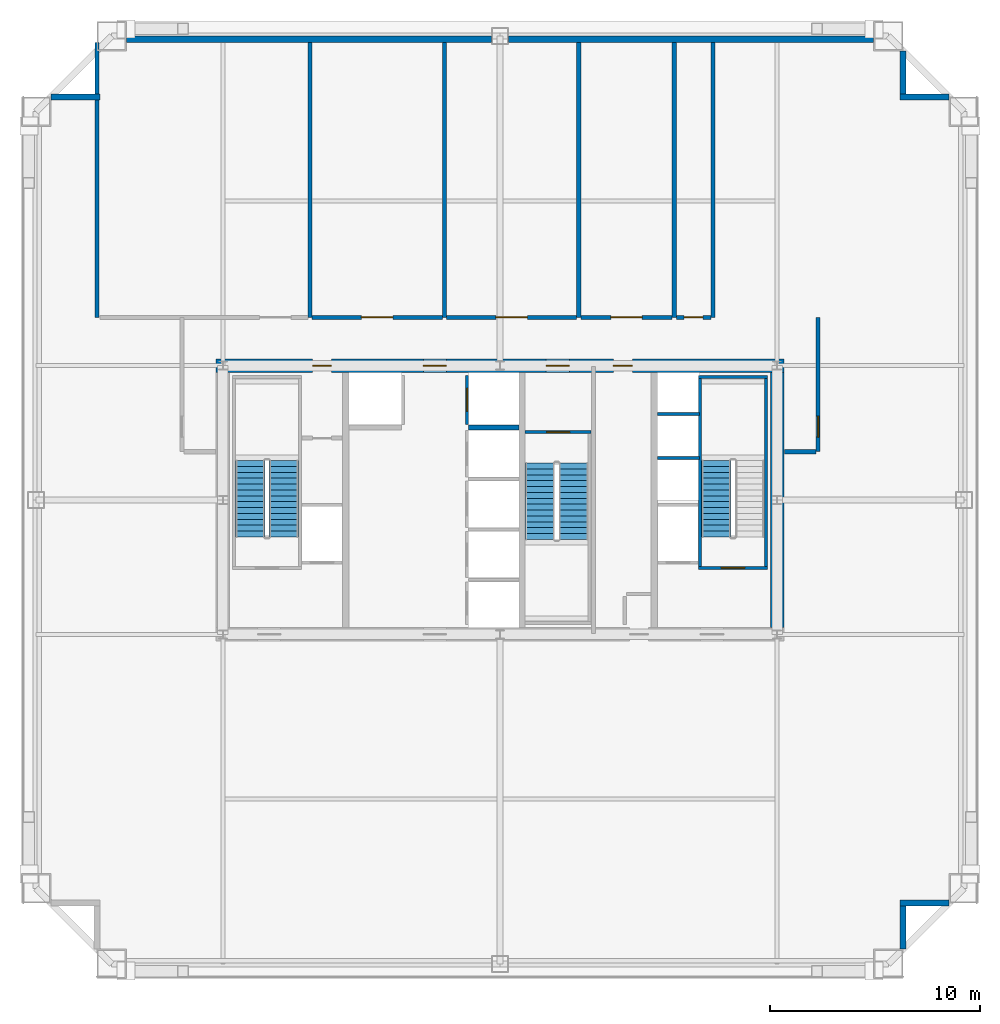
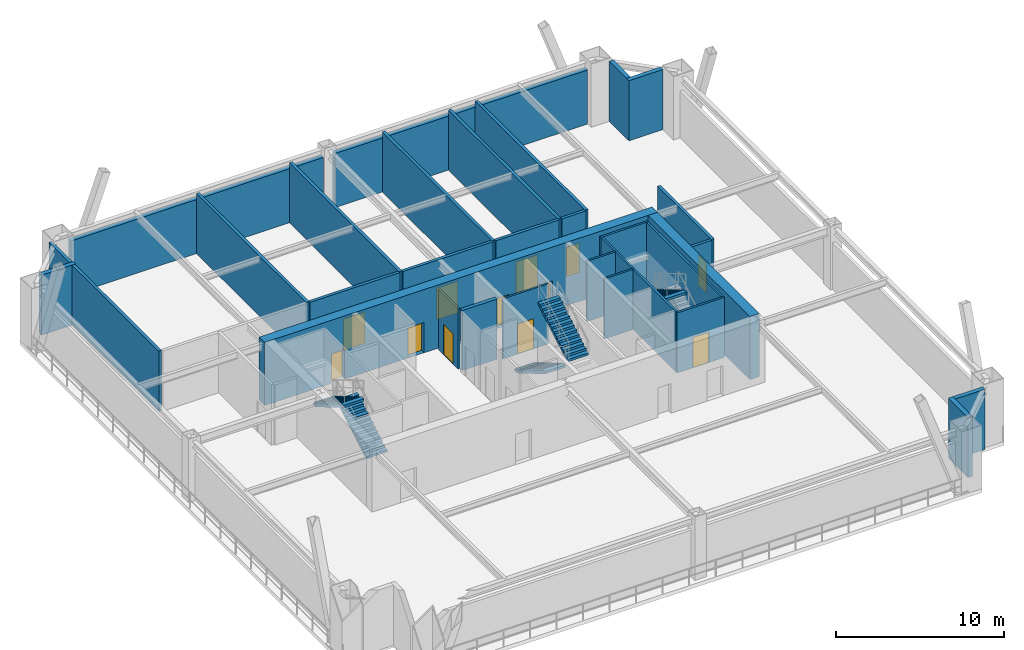
# One storey, part 5 of 9: 30 walls, 12 doors, 5 stair flights, 12 openings, 3 elements without a shape of their own.
"""IFC4 building model written with IfcOpenShell, lengths in metres."""

from ifc_helpers import new_model, si_unit, direction, frame, frame_2d, origin, place, context, subcontext, project, spatial, polyline, rectangle, outline, extrude, source, transform, mapped, material, layer, layer_set, type_object, element, fill, aggregate, save


model = new_model("IFC4")

# Units and contexts
model_context = context("Model", 3, precision=1e-05, world=origin(), true_north=direction((0.0, 1.0)))
body_context = subcontext(model_context, "Body", "Model", "MODEL_VIEW")
ifc_project = project(units=[si_unit("LENGTHUNIT", "METRE"), si_unit("AREAUNIT", "SQUARE_METRE"), si_unit("VOLUMEUNIT", "CUBIC_METRE"), si_unit("PLANEANGLEUNIT", "RADIAN"), si_unit("MASSUNIT", "GRAM", prefix="KILO"), si_unit("THERMODYNAMICTEMPERATUREUNIT", "KELVIN"), si_unit("POWERUNIT", "WATT")], contexts=[model_context])

# Site, building, storey
site_placement = place(None, origin())
site = spatial("IfcSite", under=ifc_project, at=site_placement, CompositionType="ELEMENT")
building_placement = place(site_placement, origin())
building = spatial("IfcBuilding", under=site, at=building_placement, Name="Yuzanri Waterfront Tower", CompositionType="ELEMENT")
storey_placement = place(building_placement, frame((0.0, 0.0, 176.39990234375)))
storey = spatial("IfcBuildingStorey", under=building, at=storey_placement, Name="L46", CompositionType="ELEMENT", Elevation=176.39990234375)

# Wall, openings, doors
ifc_material_1 = material(Name="Concrete C50", Category="concrete")
ifc_layer_1 = layer(ifc_material_1, 0.64990234375)
ifc_layer_set_1 = layer_set([ifc_layer_1], Name="Concrete C50")
wall_type_1 = type_object("IfcWallType", Name="Concrete C50 Mid Zone Core Shear Wall 650", PredefinedType="SHEAR", material=ifc_layer_set_1)
wall_1_placement = place(storey_placement, frame((23.47509765625, 32.199951171875, 0.0), z_axis=(0.0, 0.0, 1.0), x_axis=(1.0, 0.0, 0.0)))
wall_1 = element("IfcWall", 1, at=wall_1_placement, inside=storey, type_object=wall_type_1, Name="L46 Core North Shear Wall", PredefinedType="SHEAR", context=body_context, shape_type="SweptSolid", body=[
    extrude(rectangle(XDim=27.0498046875, YDim=0.64990234375, at=frame_2d((13.52490234375, 0.0))), origin(), (0.0, 0.0, 1.0), 4.60009765625),
])
opening_1_placement = place(wall_1_placement, frame((4.594970703125, 0.0, 0.0)))
opening_1 = element("IfcOpeningElement", 2, at=opening_1_placement, cuts=wall_1, Name="Opening FD-0900", PredefinedType="OPENING", context=body_context, shape_type="SweptSolid", body=[
    extrude(rectangle(XDim=0.89990234375, YDim=2.14990234375, at=frame_2d((0.449951171875, 1.074951171875))), frame((0.0, 0.33984375, 0.0), z_axis=(0.0, -1.0, 0.0), x_axis=(1.0, 0.0, 0.0)), (0.0, 0.0, 1.0), 0.6796875),
])
opening_2_placement = place(wall_1_placement, frame((9.875, 0.0, 0.0)))
opening_2 = element("IfcOpeningElement", 3, at=opening_2_placement, cuts=wall_1, Name="Opening FD-1100", PredefinedType="OPENING", context=body_context, shape_type="SweptSolid", body=[
    extrude(rectangle(XDim=1.10009765625, YDim=2.199951171875, at=frame_2d((0.550048828125, 1.10009765625))), frame((0.0, 0.33984375, 0.0), z_axis=(0.0, -1.0, 0.0), x_axis=(1.0, 0.0, 0.0)), (0.0, 0.0, 1.0), 0.6796875),
])
opening_3_placement = place(wall_1_placement, frame((15.72509765625, 0.0, 0.0)))
opening_3 = element("IfcOpeningElement", 4, at=opening_3_placement, cuts=wall_1, Name="Opening FD-1100", PredefinedType="OPENING", context=body_context, shape_type="SweptSolid", body=[
    extrude(rectangle(XDim=1.10009765625, YDim=2.199951171875, at=frame_2d((0.550048828125, 1.10009765625))), frame((0.0, 0.33984375, 0.0), z_axis=(0.0, -1.0, 0.0), x_axis=(1.0, 0.0, 0.0)), (0.0, 0.0, 1.0), 0.6796875),
])
opening_4_placement = place(wall_1_placement, frame((18.925048828125, 0.0, 0.0)))
opening_4 = element("IfcOpeningElement", 5, at=opening_4_placement, cuts=wall_1, Name="Opening FD-0900", PredefinedType="OPENING", context=body_context, shape_type="SweptSolid", body=[
    extrude(rectangle(XDim=0.89990234375, YDim=2.14990234375, at=frame_2d((0.449951171875, 1.074951171875))), frame((0.0, 0.33984375, 0.0), z_axis=(0.0, -1.0, 0.0), x_axis=(1.0, 0.0, 0.0)), (0.0, 0.0, 1.0), 0.6796875),
])
ifc_material_2 = material(Name="Painted Galvanized Fire Steel", Category="steel")
door_type_1 = type_object("IfcDoorType", Name="Smoke-Proof Stair and Lobby Fire Door 1100x2200", OperationType="NOTDEFINED", PredefinedType="DOOR", material=ifc_material_2)
shared_shape_1 = source(origin(), body_context, "Body", "SweptSolid", [
    extrude(rectangle(XDim=1.10009765625, YDim=2.199951171875, at=frame_2d((0.550048828125, 1.10009765625))), frame((0.0, 0.02490234375, 0.0), z_axis=(0.0, -1.0, 0.0), x_axis=(1.0, 0.0, 0.0)), (0.0, 0.0, 1.0), 0.050048828125),
])
door_1_placement = place(opening_2_placement, origin())
door_1 = element("IfcDoor", 6, at=door_1_placement, inside=storey, type_object=door_type_1, Name="L46 Central Lift Lobby North Door", OperationType="SINGLE_SWING_LEFT", OverallHeight=2.199951171875, OverallWidth=1.10009765625, PredefinedType="DOOR", context=body_context, shape_type="MappedRepresentation", body=[
    mapped(shared_shape_1, transform((0.0, 0.0, 0.0), scale=1.0)),
])
fill(opening_2, door_1)
door_2_placement = place(opening_3_placement, origin())
door_2 = element("IfcDoor", 7, at=door_2_placement, inside=storey, type_object=door_type_1, Name="L46 North Stair Lobby Door", OperationType="SINGLE_SWING_RIGHT", OverallHeight=2.199951171875, OverallWidth=1.10009765625, PredefinedType="DOOR", context=body_context, shape_type="MappedRepresentation", body=[
    mapped(shared_shape_1, transform((0.0, 0.0, 0.0), scale=1.0)),
])
fill(opening_3, door_2)
ifc_material_3 = material(Name="Painted Galvanized Fire Steel", Category="steel")
door_type_2 = type_object("IfcDoorType", Name="Riser and Service Room Fire Door 900x2150", OperationType="NOTDEFINED", PredefinedType="DOOR", material=ifc_material_3)
shared_shape_2 = source(origin(), body_context, "Body", "SweptSolid", [
    extrude(rectangle(XDim=0.89990234375, YDim=2.14990234375, at=frame_2d((0.449951171875, 1.074951171875))), frame((0.0, 0.02490234375, 0.0), z_axis=(0.0, -1.0, 0.0), x_axis=(1.0, 0.0, 0.0)), (0.0, 0.0, 1.0), 0.050048828125),
])
door_3_placement = place(opening_1_placement, origin())
door_3 = element("IfcDoor", 8, at=door_3_placement, inside=storey, type_object=door_type_2, Name="L46 Telecom Riser Door", OperationType="SINGLE_SWING_RIGHT", OverallHeight=2.14990234375, OverallWidth=0.89990234375, PredefinedType="DOOR", context=body_context, shape_type="MappedRepresentation", body=[
    mapped(shared_shape_2, transform((0.0, 0.0, 0.0), scale=1.0)),
])
fill(opening_1, door_3)
door_4_placement = place(opening_4_placement, origin())
door_4 = element("IfcDoor", 9, at=door_4_placement, inside=storey, type_object=door_type_2, Name="L46 Refuge Mechanical Equipment Store Room", OperationType="SINGLE_SWING_LEFT", OverallHeight=2.14990234375, OverallWidth=0.89990234375, PredefinedType="DOOR", context=body_context, shape_type="MappedRepresentation", body=[
    mapped(shared_shape_2, transform((0.0, 0.0, 0.0), scale=1.0)),
])
fill(opening_4, door_4)

# Wall, opening, door
ifc_material_4 = material(Name="Concrete C40", Category="concrete")
ifc_layer_2 = layer(ifc_material_4, 0.139892578125)
ifc_layer_set_2 = layer_set([ifc_layer_2], Name="Concrete C40")
wall_type_2 = type_object("IfcWallType", Name="Core Stair Liner and Hoistway Shaft Wall 140", PredefinedType="SOLIDWALL", material=ifc_layer_set_2)
wall_2_placement = place(storey_placement, frame((35.429931640625, 29.39990234375, 0.0), z_axis=(0.0, 0.0, 1.0), x_axis=(0.0, 1.0, 0.0)))
wall_2 = element("IfcWall", 10, at=wall_2_placement, inside=storey, type_object=wall_type_2, Name="L46 Lift SL-02 Front Shaft Wall", PredefinedType="SOLIDWALL", context=body_context, shape_type="SweptSolid", body=[
    extrude(rectangle(XDim=2.340087890625, YDim=0.139892578125, at=frame_2d((1.169921875, 0.0))), origin(), (0.0, 0.0, 1.0), 4.380126953125),
])
opening_5_placement = place(wall_2_placement, frame((0.6201171875, 0.0, 0.0)))
opening_5 = element("IfcOpeningElement", 11, at=opening_5_placement, cuts=wall_2, Name="Opening LD-SL-02", PredefinedType="OPENING", context=body_context, shape_type="SweptSolid", body=[
    extrude(rectangle(XDim=1.10009765625, YDim=2.199951171875, at=frame_2d((0.550048828125, 1.10009765625))), frame((0.0, 0.0849609375, 0.0), z_axis=(0.0, -1.0, 0.0), x_axis=(1.0, 0.0, 0.0)), (0.0, 0.0, 1.0), 0.169677734375),
])
ifc_material_5 = material(Name="Brushed Bronze and Stainless Steel Cab", Category="steel")
door_type_3 = type_object("IfcDoorType", Name="Center-Parting Bronze Lift Landing Sliding Door 1100x2200", OperationType="NOTDEFINED", PredefinedType="DOOR", material=ifc_material_5)
shared_shape_3 = source(origin(), body_context, "Body", "SweptSolid", [
    extrude(rectangle(XDim=1.10009765625, YDim=2.199951171875, at=frame_2d((0.550048828125, 1.10009765625))), frame((0.0, 0.02490234375, 0.0), z_axis=(0.0, -1.0, 0.0), x_axis=(1.0, 0.0, 0.0)), (0.0, 0.0, 1.0), 0.050048828125),
])
door_5_placement = place(opening_5_placement, origin())
door_5 = element("IfcDoor", 12, at=door_5_placement, inside=storey, type_object=door_type_3, Name="L46 SL-02 Lift Landing Sliding Door", OperationType="SLIDING_TO_RIGHT", OverallHeight=2.199951171875, OverallWidth=1.10009765625, PredefinedType="DOOR", context=body_context, shape_type="MappedRepresentation", body=[
    mapped(shared_shape_3, transform((0.0, 0.0, 0.0), scale=1.0)),
])
fill(opening_5, door_5)

wall_3_placement = place(storey_placement, frame((46.4599609375, 22.570068359375, 0.0), z_axis=(0.0, 0.0, 1.0), x_axis=(1.0, 0.0, 0.0)))
wall_3 = element("IfcWall", 13, at=wall_3_placement, inside=storey, type_object=wall_type_2, Name="L46 Shaft Wall STW-L46-ST-02-S", PredefinedType="SOLIDWALL", context=body_context, shape_type="SweptSolid", body=[
    extrude(rectangle(XDim=3.280029296875, YDim=0.139892578125, at=frame_2d((1.64013671875, 0.0))), origin(), (0.0, 0.0, 1.0), 4.380126953125),
])
opening_6_placement = place(wall_3_placement, frame((1.090087890625, 0.0, 0.0)))
opening_6 = element("IfcOpeningElement", 14, at=opening_6_placement, cuts=wall_3, Name="Opening FD-1100", PredefinedType="OPENING", context=body_context, shape_type="SweptSolid", body=[
    extrude(rectangle(XDim=1.10009765625, YDim=2.199951171875, at=frame_2d((0.550048828125, 1.10009765625))), frame((0.0, 0.0849609375, 0.0), z_axis=(0.0, -1.0, 0.0), x_axis=(1.0, 0.0, 0.0)), (0.0, 0.0, 1.0), 0.169677734375),
])
door_6_placement = place(opening_6_placement, origin())
door_6 = element("IfcDoor", 15, at=door_6_placement, inside=storey, type_object=door_type_1, Name="L46 Stair ST-02 Fire Door", OperationType="SINGLE_SWING_LEFT", OverallHeight=2.199951171875, OverallWidth=1.10009765625, PredefinedType="DOOR", context=body_context, shape_type="MappedRepresentation", body=[
    mapped(shared_shape_1, transform((0.0, 0.0, 0.0), scale=1.0)),
])
fill(opening_6, door_6)

wall_4_placement = place(storey_placement, frame((38.199951171875, 29.030029296875, 0.0), z_axis=(0.0, 0.0, 1.0), x_axis=(1.0, 0.0, 0.0)))
wall_4 = element("IfcWall", 16, at=wall_4_placement, inside=storey, type_object=wall_type_2, Name="L46 Shaft Wall STW-L46-ST-03-N", PredefinedType="SOLIDWALL", context=body_context, shape_type="SweptSolid", body=[
    extrude(rectangle(XDim=3.14013671875, YDim=0.139892578125, at=frame_2d((1.570068359375, 0.0))), origin(), (0.0, 0.0, 1.0), 4.380126953125),
])
opening_7_placement = place(wall_4_placement, frame((1.02001953125, 0.0, 0.0)))
opening_7 = element("IfcOpeningElement", 17, at=opening_7_placement, cuts=wall_4, Name="Opening FD-1100", PredefinedType="OPENING", context=body_context, shape_type="SweptSolid", body=[
    extrude(rectangle(XDim=1.10009765625, YDim=2.199951171875, at=frame_2d((0.550048828125, 1.10009765625))), frame((0.0, 0.0849609375, 0.0), z_axis=(0.0, -1.0, 0.0), x_axis=(1.0, 0.0, 0.0)), (0.0, 0.0, 1.0), 0.169677734375),
])
door_7_placement = place(opening_7_placement, origin())
door_7 = element("IfcDoor", 18, at=door_7_placement, inside=storey, type_object=door_type_1, Name="L46 Stair ST-03 Fire Door", OperationType="SINGLE_SWING_RIGHT", OverallHeight=2.199951171875, OverallWidth=1.10009765625, PredefinedType="DOOR", context=body_context, shape_type="MappedRepresentation", body=[
    mapped(shared_shape_1, transform((0.0, 0.0, 0.0), scale=1.0)),
])
fill(opening_7, door_7)

ifc_material_6 = material(Name="Autoclaved Aerated Concrete Blockwork", Category="masonry")
ifc_layer_3 = layer(ifc_material_6, 0.199951171875)
ifc_layer_set_3 = layer_set([ifc_layer_3], Name="Autoclaved Aerated Concrete Blockwork")
wall_type_3 = type_object("IfcWallType", Name="Corridor and Unit Party Fire Wall 200", PredefinedType="PARTITIONING", material=ifc_layer_set_3)
wall_5_placement = place(storey_placement, frame((52.14990234375, 28.10009765625, 0.0), z_axis=(0.0, 0.0, 1.0), x_axis=(0.0, 1.0, 0.0)))
wall_5 = element("IfcWall", 19, at=wall_5_placement, inside=storey, type_object=wall_type_3, Name="L46 Partition RFW-L46-CE", PredefinedType="PARTITIONING", context=body_context, shape_type="SweptSolid", body=[
    extrude(rectangle(XDim=6.39990234375, YDim=0.199951171875, at=frame_2d((3.199951171875, 0.0))), origin(), (0.0, 0.0, 1.0), 4.380126953125),
])
opening_8_placement = place(wall_5_placement, frame((0.699951171875, 0.0, 0.0)))
opening_8 = element("IfcOpeningElement", 20, at=opening_8_placement, cuts=wall_5, Name="Opening TD-1000", PredefinedType="OPENING", context=body_context, shape_type="SweptSolid", body=[
    extrude(rectangle(XDim=1.0, YDim=2.199951171875, at=frame_2d((0.5, 1.10009765625))), frame((0.0, 0.11474609375, 0.0), z_axis=(0.0, -1.0, 0.0), x_axis=(1.0, 0.0, 0.0)), (0.0, 0.0, 1.0), 0.229736328125),
])
ifc_material_7 = material(Name="Anodized Architectural Bronze", Category="metal")
door_type_4 = type_object("IfcDoorType", Name="Anodized Bronze Refuge Deck Weatherproof Exit Door 1000x2200", OperationType="NOTDEFINED", PredefinedType="DOOR", material=ifc_material_7)
shared_shape_4 = source(origin(), body_context, "Body", "SweptSolid", [
    extrude(rectangle(XDim=1.0, YDim=2.199951171875, at=frame_2d((0.5, 1.10009765625))), frame((0.0, 0.02490234375, 0.0), z_axis=(0.0, -1.0, 0.0), x_axis=(1.0, 0.0, 0.0)), (0.0, 0.0, 1.0), 0.050048828125),
])
door_8_placement = place(opening_8_placement, origin())
door_8 = element("IfcDoor", 21, at=door_8_placement, inside=storey, type_object=door_type_4, Name="L46 East Refuge Deck Exit Door", OperationType="SINGLE_SWING_LEFT", OverallHeight=2.199951171875, OverallWidth=1.0, PredefinedType="DOOR", context=body_context, shape_type="MappedRepresentation", body=[
    mapped(shared_shape_4, transform((0.0, 0.0, 0.0), scale=1.0)),
])
fill(opening_8, door_8)

wall_6_placement = place(storey_placement, frame((28.051025390625, 34.5, 0.0), z_axis=(0.0, 0.0, 1.0), x_axis=(1.0, 0.0, 0.0)))
wall_6 = element("IfcWall", 22, at=wall_6_placement, inside=storey, type_object=wall_type_3, Name="L46 Partition RFW-L46-017-S", PredefinedType="PARTITIONING", context=body_context, shape_type="SweptSolid", body=[
    extrude(rectangle(XDim=6.199951171875, YDim=0.199951171875, at=frame_2d((3.10009765625, 0.0))), origin(), (0.0, 0.0, 1.0), 4.380126953125),
])
opening_9_placement = place(wall_6_placement, frame((2.35009765625, 0.0, 0.0)))
opening_9 = element("IfcOpeningElement", 23, at=opening_9_placement, cuts=wall_6, Name="Opening FD-1500", PredefinedType="OPENING", context=body_context, shape_type="SweptSolid", body=[
    extrude(rectangle(XDim=1.5, YDim=2.300048828125, at=frame_2d((0.75, 1.14990234375))), frame((0.0, 0.11474609375, 0.0), z_axis=(0.0, -1.0, 0.0), x_axis=(1.0, 0.0, 0.0)), (0.0, 0.0, 1.0), 0.229736328125),
])
ifc_material_8 = material(Name="Painted Galvanized Fire Steel", Category="steel")
door_type_5 = type_object("IfcDoorType", Name="Plant and Ballroom Double Fire Door 1500x2300", OperationType="NOTDEFINED", PredefinedType="DOOR", material=ifc_material_8)
shared_shape_5 = source(origin(), body_context, "Body", "SweptSolid", [
    extrude(rectangle(XDim=1.5, YDim=2.300048828125, at=frame_2d((0.75, 1.14990234375))), frame((0.0, 0.02490234375, 0.0), z_axis=(0.0, -1.0, 0.0), x_axis=(1.0, 0.0, 0.0)), (0.0, 0.0, 1.0), 0.050048828125),
])
door_9_placement = place(opening_9_placement, origin())
door_9 = element("IfcDoor", 24, at=door_9_placement, inside=storey, type_object=door_type_5, Name="L46 Fire Booster and Transfer Pump Plant Room", OperationType="DOUBLE_DOOR_SINGLE_SWING", OverallHeight=2.300048828125, OverallWidth=1.5, PredefinedType="DOOR", context=body_context, shape_type="MappedRepresentation", body=[
    mapped(shared_shape_5, transform((0.0, 0.0, 0.0), scale=1.0)),
])
fill(opening_9, door_9)

wall_7_placement = place(storey_placement, frame((34.450927734375, 34.5, 0.0), z_axis=(0.0, 0.0, 1.0), x_axis=(1.0, 0.0, 0.0)))
wall_7 = element("IfcWall", 25, at=wall_7_placement, inside=storey, type_object=wall_type_3, Name="L46 Partition RFW-L46-018-S", PredefinedType="PARTITIONING", context=body_context, shape_type="SweptSolid", body=[
    extrude(rectangle(XDim=6.199951171875, YDim=0.199951171875, at=frame_2d((3.10009765625, 0.0))), origin(), (0.0, 0.0, 1.0), 4.380126953125),
])
opening_10_placement = place(wall_7_placement, frame((2.35009765625, 0.0, 0.0)))
opening_10 = element("IfcOpeningElement", 26, at=opening_10_placement, cuts=wall_7, Name="Opening FD-1500", PredefinedType="OPENING", context=body_context, shape_type="SweptSolid", body=[
    extrude(rectangle(XDim=1.5, YDim=2.300048828125, at=frame_2d((0.75, 1.14990234375))), frame((0.0, 0.11474609375, 0.0), z_axis=(0.0, -1.0, 0.0), x_axis=(1.0, 0.0, 0.0)), (0.0, 0.0, 1.0), 0.229736328125),
])
door_10_placement = place(opening_10_placement, origin())
door_10 = element("IfcDoor", 27, at=door_10_placement, inside=storey, type_object=door_type_5, Name="L46 Plate Heat-Exchanger Plant Room", OperationType="DOUBLE_DOOR_SINGLE_SWING", OverallHeight=2.300048828125, OverallWidth=1.5, PredefinedType="DOOR", context=body_context, shape_type="MappedRepresentation", body=[
    mapped(shared_shape_5, transform((0.0, 0.0, 0.0), scale=1.0)),
])
fill(opening_10, door_10)

wall_8_placement = place(storey_placement, frame((40.85107421875, 34.5, 0.0), z_axis=(0.0, 0.0, 1.0), x_axis=(1.0, 0.0, 0.0)))
wall_8 = element("IfcWall", 28, at=wall_8_placement, inside=storey, type_object=wall_type_3, Name="L46 Partition RFW-L46-019-S", PredefinedType="PARTITIONING", context=body_context, shape_type="SweptSolid", body=[
    extrude(rectangle(XDim=4.348876953125, YDim=0.199951171875, at=frame_2d((2.17431640625, 0.0))), origin(), (0.0, 0.0, 1.0), 4.380126953125),
])
opening_11_placement = place(wall_8_placement, frame((1.425048828125, 0.0, 0.0)))
opening_11 = element("IfcOpeningElement", 29, at=opening_11_placement, cuts=wall_8, Name="Opening FD-1500", PredefinedType="OPENING", context=body_context, shape_type="SweptSolid", body=[
    extrude(rectangle(XDim=1.5, YDim=2.300048828125, at=frame_2d((0.75, 1.14990234375))), frame((0.0, 0.11474609375, 0.0), z_axis=(0.0, -1.0, 0.0), x_axis=(1.0, 0.0, 0.0)), (0.0, 0.0, 1.0), 0.229736328125),
])
door_11_placement = place(opening_11_placement, origin())
door_11 = element("IfcDoor", 30, at=door_11_placement, inside=storey, type_object=door_type_5, Name="L46 Electrical Transformer and UPS Room", OperationType="DOUBLE_DOOR_SINGLE_SWING", OverallHeight=2.300048828125, OverallWidth=1.5, PredefinedType="DOOR", context=body_context, shape_type="MappedRepresentation", body=[
    mapped(shared_shape_5, transform((0.0, 0.0, 0.0), scale=1.0)),
])
fill(opening_11, door_11)

wall_9_placement = place(storey_placement, frame((45.39990234375, 34.5, 0.0), z_axis=(0.0, 0.0, 1.0), x_axis=(1.0, 0.0, 0.0)))
wall_9 = element("IfcWall", 31, at=wall_9_placement, inside=storey, type_object=wall_type_3, Name="L46 Partition RFW-L46-020-S", PredefinedType="PARTITIONING", context=body_context, shape_type="SweptSolid", body=[
    extrude(rectangle(XDim=1.650146484375, YDim=0.199951171875, at=frame_2d((0.8251953125, 0.0))), origin(), (0.0, 0.0, 1.0), 4.380126953125),
])
opening_12_placement = place(wall_9_placement, frame((0.3701171875, 0.0, 0.0)))
opening_12 = element("IfcOpeningElement", 32, at=opening_12_placement, cuts=wall_9, Name="Opening FD-0900", PredefinedType="OPENING", context=body_context, shape_type="SweptSolid", body=[
    extrude(rectangle(XDim=0.89990234375, YDim=2.14990234375, at=frame_2d((0.449951171875, 1.074951171875))), frame((0.0, 0.11474609375, 0.0), z_axis=(0.0, -1.0, 0.0), x_axis=(1.0, 0.0, 0.0)), (0.0, 0.0, 1.0), 0.229736328125),
])
door_12_placement = place(opening_12_placement, origin())
door_12 = element("IfcDoor", 33, at=door_12_placement, inside=storey, type_object=door_type_2, Name="L46 Refuge Accessible WC", OperationType="SINGLE_SWING_RIGHT", OverallHeight=2.14990234375, OverallWidth=0.89990234375, PredefinedType="DOOR", context=body_context, shape_type="MappedRepresentation", body=[
    mapped(shared_shape_2, transform((0.0, 0.0, 0.0), scale=1.0)),
])
fill(opening_12, door_12)

# Walls
shared_shape_6 = source(origin(), body_context, "Body", "SweptSolid", [
    extrude(rectangle(XDim=12.14990234375, YDim=0.64990234375, at=frame_2d((6.074951171875, 0.0))), origin(), (0.0, 0.0, 1.0), 4.60009765625),
])
wall_10_placement = place(storey_placement, frame((50.199951171875, 19.72509765625, 0.0), z_axis=(0.0, 0.0, 1.0), x_axis=(0.0, 1.0, 0.0)))
element("IfcWall", 34, at=wall_10_placement, inside=storey, type_object=wall_type_1, Name="L46 Core East Shear Wall", PredefinedType="SHEAR", context=body_context, shape_type="MappedRepresentation", body=[
    mapped(shared_shape_6, transform((0.0, 0.0, 0.0), scale=1.0)),
])
ifc_material_9 = material(Name="Honed Chongqing Dark Basalt Stone", Category="masonry")
ifc_layer_4 = layer(ifc_material_9, 0.300048828125)
ifc_layer_set_4 = layer_set([ifc_layer_4], Name="Honed Chongqing Dark Basalt Stone")
wall_type_4 = type_object("IfcWallType", Name="Bronze Rainscreen Insulated Spandrel Portal Wall 300", PredefinedType="SOLIDWALL", material=ifc_layer_set_4)
shared_shape_7 = source(origin(), body_context, "Body", "SweptSolid", [
    extrude(rectangle(XDim=2.349853515625, YDim=0.300048828125, at=frame_2d((1.1748046875, 0.0))), origin(), (0.0, 0.0, 1.0), 4.380126953125),
])
for number, where, z_axis, x_axis, name in (
    (35, (56.050048828125, 6.60009765625, 0.0), (0.0, 0.0, 1.0), (1.0, 0.0, 0.0), "L46 Notched Corner Masonry Wall SE-X"),
    (36, (17.949951171875, 45.0, 0.0), (0.0, 0.0, 1.0), (-1.0, 0.0, 0.0), "L46 Notched Corner Masonry Wall NW-X"),
    (37, (58.39990234375, 45.0, 0.0), (0.0, 0.0, 1.0), (-1.0, 0.0, 0.0), "L46 Notched Corner Masonry Wall NE-X"),
    (38, (56.199951171875, 44.85009765625, 0.0), (0.0, 0.0, 1.0), (0.0, 1.0, 0.0), "L46 Notched Corner Masonry Wall NE-Y"),
):
    element("IfcWall", number, at=place(storey_placement, frame(where, z_axis=z_axis, x_axis=x_axis)), inside=storey, type_object=wall_type_4, Name=name, PredefinedType="SOLIDWALL", context=body_context, shape_type="MappedRepresentation", body=[
        mapped(shared_shape_7, transform((0.0, 0.0, 0.0), scale=1.0)),
    ])
shared_shape_8 = source(origin(), body_context, "Body", "SweptSolid", [
    extrude(rectangle(XDim=2.35009765625, YDim=0.300048828125, at=frame_2d((1.175048828125, 0.0))), origin(), (0.0, 0.0, 1.0), 4.380126953125),
])
wall_11_placement = place(storey_placement, frame((56.199951171875, 4.39990234375, 0.0), z_axis=(0.0, 0.0, 1.0), x_axis=(0.0, 1.0, 0.0)))
element("IfcWall", 39, at=wall_11_placement, inside=storey, type_object=wall_type_4, Name="L46 Notched Corner Masonry Wall SE-Y", PredefinedType="SOLIDWALL", context=body_context, shape_type="MappedRepresentation", body=[
    mapped(shared_shape_8, transform((0.0, 0.0, 0.0), scale=1.0)),
])
shared_shape_9 = source(origin(), body_context, "Body", "SweptSolid", [
    extrude(rectangle(XDim=17.400146484375, YDim=0.300048828125, at=frame_2d((8.7001953125, 0.0))), origin(), (0.0, 0.0, 1.0), 3.93505859375),
])
for number, where, z_axis, x_axis, name in (
    (40, (19.199951171875, 47.75, 0.0), (0.0, 0.0, 1.0), (1.0, 0.0, 0.0), "L46 Refuge Plant North-West Wall"),
    (41, (37.39990234375, 47.75, 0.0), (0.0, 0.0, 1.0), (1.0, 0.0, 0.0), "L46 Refuge Plant North-East Wall"),
):
    element("IfcWall", number, at=place(storey_placement, frame(where, z_axis=z_axis, x_axis=x_axis)), inside=storey, type_object=wall_type_4, Name=name, PredefinedType="SOLIDWALL", context=body_context, shape_type="MappedRepresentation", body=[
        mapped(shared_shape_9, transform((0.0, 0.0, 0.0), scale=1.0)),
    ])
ifc_material_10 = material(Name="Concrete C40", Category="concrete")
ifc_layer_5 = layer(ifc_material_10, 0.25)
ifc_layer_set_5 = layer_set([ifc_layer_5], Name="Concrete C40")
wall_type_5 = type_object("IfcWallType", Name="Smoke-Proof Stair and Lift Shaft Wall 250", PredefinedType="SOLIDWALL", material=ifc_layer_set_5)
shared_shape_10 = source(origin(), body_context, "Body", "SweptSolid", [
    extrude(rectangle(XDim=2.39990234375, YDim=0.25, at=frame_2d((1.199951171875, 0.0))), origin(), (0.0, 0.0, 1.0), 4.380126953125),
])
wall_12_placement = place(storey_placement, frame((35.5, 29.25, 0.0), z_axis=(0.0, 0.0, 1.0), x_axis=(1.0, 0.0, 0.0)))
element("IfcWall", 42, at=wall_12_placement, inside=storey, type_object=wall_type_5, Name="L46 Lift SL-02 South Shaft Wall", PredefinedType="SOLIDWALL", context=body_context, shape_type="MappedRepresentation", body=[
    mapped(shared_shape_10, transform((0.0, 0.0, 0.0), scale=1.0)),
])
shared_shape_11 = source(origin(), body_context, "Body", "SweptSolid", [
    extrude(rectangle(XDim=2.0, YDim=0.139892578125, at=frame_2d((1.0, 0.0))), origin(), (0.0, 0.0, 1.0), 4.380126953125),
])
for number, where, z_axis, x_axis, name in (
    (43, (44.5, 27.800048828125, 0.0), (0.0, 0.0, 1.0), (1.0, 0.0, 0.0), "L46 Lift PL-09 Divider Wall"),
    (44, (44.5, 29.89990234375, 0.0), (0.0, 0.0, 1.0), (1.0, 0.0, 0.0), "L46 Lift PL-10 Divider Wall"),
):
    element("IfcWall", number, at=place(storey_placement, frame(where, z_axis=z_axis, x_axis=x_axis)), inside=storey, type_object=wall_type_2, Name=name, PredefinedType="SOLIDWALL", context=body_context, shape_type="MappedRepresentation", body=[
        mapped(shared_shape_11, transform((0.0, 0.0, 0.0), scale=1.0)),
    ])
shared_shape_12 = source(origin(), body_context, "Body", "SweptSolid", [
    extrude(rectangle(XDim=3.280029296875, YDim=0.139892578125, at=frame_2d((1.64013671875, 0.0))), origin(), (0.0, 0.0, 1.0), 4.380126953125),
])
wall_13_placement = place(storey_placement, frame((46.4599609375, 31.64990234375, 0.0), z_axis=(0.0, 0.0, 1.0), x_axis=(1.0, 0.0, 0.0)))
element("IfcWall", 45, at=wall_13_placement, inside=storey, type_object=wall_type_2, Name="L46 Stair ST-02 North Shaft Wall", PredefinedType="SOLIDWALL", context=body_context, shape_type="MappedRepresentation", body=[
    mapped(shared_shape_12, transform((0.0, 0.0, 0.0), scale=1.0)),
])
shared_shape_13 = source(origin(), body_context, "Body", "SweptSolid", [
    extrude(rectangle(XDim=8.940185546875, YDim=0.139892578125, at=frame_2d((4.47021484375, 0.0))), origin(), (0.0, 0.0, 1.0), 4.380126953125),
])
for number, where, z_axis, x_axis, name in (
    (46, (46.530029296875, 22.639892578125, 0.0), (0.0, 0.0, 1.0), (0.0, 1.0, 0.0), "L46 Stair ST-02 West Shaft Wall"),
    (47, (49.669921875, 22.639892578125, 0.0), (0.0, 0.0, 1.0), (0.0, 1.0, 0.0), "L46 Stair ST-02 East Shaft Wall"),
):
    element("IfcWall", number, at=place(storey_placement, frame(where, z_axis=z_axis, x_axis=x_axis)), inside=storey, type_object=wall_type_2, Name=name, PredefinedType="SOLIDWALL", context=body_context, shape_type="MappedRepresentation", body=[
        mapped(shared_shape_13, transform((0.0, 0.0, 0.0), scale=1.0)),
    ])
shared_shape_14 = source(origin(), body_context, "Body", "SweptSolid", [
    extrude(rectangle(XDim=13.10009765625, YDim=0.199951171875, at=frame_2d((6.550048828125, 0.0))), origin(), (0.0, 0.0, 1.0), 4.380126953125),
])
for number, where, z_axis, x_axis, name in (
    (48, (17.800048828125, 34.5, 0.0), (0.0, 0.0, 1.0), (0.0, 1.0, 0.0), "L46 Plant West Wall"),
    (49, (27.950927734375, 34.5, 0.0), (0.0, 0.0, 1.0), (0.0, 1.0, 0.0), "L46-016 Plant Demising Wall"),
    (50, (34.35107421875, 34.5, 0.0), (0.0, 0.0, 1.0), (0.0, 1.0, 0.0), "L46-017 Plant Demising Wall"),
    (51, (40.7509765625, 34.5, 0.0), (0.0, 0.0, 1.0), (0.0, 1.0, 0.0), "L46-018 Plant Demising Wall"),
    (52, (45.300048828125, 34.5, 0.0), (0.0, 0.0, 1.0), (0.0, 1.0, 0.0), "L46-019 Plant Demising Wall"),
    (53, (47.14990234375, 34.5, 0.0), (0.0, 0.0, 1.0), (0.0, 1.0, 0.0), "L46-020 Plant Demising Wall"),
):
    element("IfcWall", number, at=place(storey_placement, frame(where, z_axis=z_axis, x_axis=x_axis)), inside=storey, type_object=wall_type_3, Name=name, PredefinedType="PARTITIONING", context=body_context, shape_type="MappedRepresentation", body=[
        mapped(shared_shape_14, transform((0.0, 0.0, 0.0), scale=1.0)),
    ])
shared_shape_15 = source(origin(), body_context, "Body", "SweptSolid", [
    extrude(rectangle(XDim=1.505126953125, YDim=0.199951171875, at=frame_2d((0.75244140625, 0.0))), origin(), (0.0, 0.0, 1.0), 4.380126953125),
])
wall_14_placement = place(storey_placement, frame((50.544921875, 28.10009765625, 0.0), z_axis=(0.0, 0.0, 1.0), x_axis=(1.0, 0.0, 0.0)))
element("IfcWall", 54, at=wall_14_placement, inside=storey, type_object=wall_type_3, Name="L46 East Refuge Vestibule South Wall", PredefinedType="PARTITIONING", context=body_context, shape_type="MappedRepresentation", body=[
    mapped(shared_shape_15, transform((0.0, 0.0, 0.0), scale=1.0)),
])

# Stair, stair flights
ifc_material_11 = material(Name="Concrete C40", Category="concrete")
stair_type = type_object("IfcStairType", Name="Concrete C40 Core Dogleg Exit Stair", PredefinedType="HALF_TURN_STAIR", material=ifc_material_11)
stair_1_placement = place(storey_placement, origin())
stair_1 = element("IfcStair", 55, at=stair_1_placement, inside=storey, type_object=stair_type, Name="L46 Smoke-Proof Core Stair ST-01", PredefinedType="HALF_TURN_STAIR")
ifc_material_12 = material(Name="Concrete C40", Category="concrete")
stair_flight_type = type_object("IfcStairFlightType", Name="Concrete C40 Tall-Storey Precast Stair Flight 1380", PredefinedType="STRAIGHT", material=ifc_material_12)
shared_shape_16 = source(origin(), body_context, "Body", "SweptSolid", [
    extrude(outline(polyline([(0.0, 0.0), (0.0, 0.164306640625), (0.280029296875, 0.164306640625), (0.280029296875, 0.32861328125), (0.56005859375, 0.32861328125), (0.56005859375, 0.492919921875), (0.840087890625, 0.492919921875), (0.840087890625, 0.6572265625), (1.1201171875, 0.6572265625), (1.1201171875, 0.821533203125), (1.39990234375, 0.821533203125), (1.39990234375, 0.985595703125), (1.679931640625, 0.985595703125), (1.679931640625, 1.14990234375), (1.9599609375, 1.14990234375), (1.9599609375, 1.314208984375), (2.239990234375, 1.314208984375), (2.239990234375, 1.478515625), (2.52001953125, 1.478515625), (2.52001953125, 1.642822265625), (2.800048828125, 1.642822265625), (2.800048828125, 1.80712890625), (3.080078125, 1.80712890625), (3.080078125, 1.971435546875), (3.360107421875, 1.971435546875), (3.360107421875, 2.1357421875), (3.639892578125, 2.1357421875), (3.639892578125, 2.300048828125), (3.639892578125, 1.9619140625), (0.296142578125, 0.0), (0.0, 0.0)])), frame((0.0, 0.699951171875, 0.0), z_axis=(0.0, -1.0, 0.0), x_axis=(1.0, 0.0, 0.0)), (0.0, 0.0, 1.0), 1.39990234375),
])
stair_flight_1_placement = place(storey_placement, frame((26.699951171875, 24.0400390625, 0.0), z_axis=(0.0, 0.0, 1.0), x_axis=(0.0, 1.0, 0.0)))
stair_flight_1 = element("IfcStairFlight", 56, at=stair_flight_1_placement, type_object=stair_flight_type, Name="ST-01 flight 1", NumberOfRisers=14, NumberOfTreads=13, PredefinedType="STRAIGHT", RiserHeight=0.164285714, TreadLength=0.28, context=body_context, shape_type="MappedRepresentation", body=[
    mapped(shared_shape_16, transform((0.0, 0.0, 0.0), scale=1.0)),
])
stair_flight_2_placement = place(storey_placement, frame((25.10009765625, 27.679931640625, 2.300048828125), z_axis=(0.0, 0.0, 1.0), x_axis=(0.0, -1.0, 0.0)))
stair_flight_2 = element("IfcStairFlight", 57, at=stair_flight_2_placement, type_object=stair_flight_type, Name="ST-01 flight 2", NumberOfRisers=14, NumberOfTreads=13, PredefinedType="STRAIGHT", RiserHeight=0.164285714, TreadLength=0.28, context=body_context, shape_type="MappedRepresentation", body=[
    mapped(shared_shape_16, transform((0.0, 0.0, 0.0), scale=1.0)),
])
aggregate(stair_1, [stair_flight_1, stair_flight_2])

# Stair, stair flight
stair_2_placement = place(storey_placement, origin())
stair_2 = element("IfcStair", 58, at=stair_2_placement, inside=storey, type_object=stair_type, Name="L46 Smoke-Proof Core Stair ST-02", PredefinedType="HALF_TURN_STAIR")
stair_flight_3_placement = place(storey_placement, frame((47.300048828125, 27.679931640625, 2.300048828125), z_axis=(0.0, 0.0, 1.0), x_axis=(0.0, -1.0, 0.0)))
stair_flight_3 = element("IfcStairFlight", 59, at=stair_flight_3_placement, type_object=stair_flight_type, Name="ST-02 flight 2", NumberOfRisers=14, NumberOfTreads=13, PredefinedType="STRAIGHT", RiserHeight=0.164285714, TreadLength=0.28, context=body_context, shape_type="MappedRepresentation", body=[
    mapped(shared_shape_16, transform((0.0, 0.0, 0.0), scale=1.0)),
])
aggregate(stair_2, [stair_flight_3])

# Stair, stair flights
stair_3_placement = place(storey_placement, origin())
stair_3 = element("IfcStair", 60, at=stair_3_placement, inside=storey, type_object=stair_type, Name="L46 Smoke-Proof Core Stair ST-03", PredefinedType="HALF_TURN_STAIR")
stair_flight_4_placement = place(storey_placement, frame((38.89990234375, 27.56005859375, 0.0), z_axis=(0.0, 0.0, 1.0), x_axis=(0.0, -1.0, 0.0)))
stair_flight_4 = element("IfcStairFlight", 61, at=stair_flight_4_placement, type_object=stair_flight_type, Name="ST-03 flight 1", NumberOfRisers=14, NumberOfTreads=13, PredefinedType="STRAIGHT", RiserHeight=0.164285714, TreadLength=0.28, context=body_context, shape_type="MappedRepresentation", body=[
    mapped(shared_shape_16, transform((0.0, 0.0, 0.0), scale=1.0)),
])
stair_flight_5_placement = place(storey_placement, frame((40.5, 23.919921875, 2.300048828125), z_axis=(0.0, 0.0, 1.0), x_axis=(0.0, 1.0, 0.0)))
stair_flight_5 = element("IfcStairFlight", 62, at=stair_flight_5_placement, type_object=stair_flight_type, Name="ST-03 flight 2", NumberOfRisers=14, NumberOfTreads=13, PredefinedType="STRAIGHT", RiserHeight=0.164285714, TreadLength=0.28, context=body_context, shape_type="MappedRepresentation", body=[
    mapped(shared_shape_16, transform((0.0, 0.0, 0.0), scale=1.0)),
])
aggregate(stair_3, [stair_flight_4, stair_flight_5])

save(model, "model.ifc")
